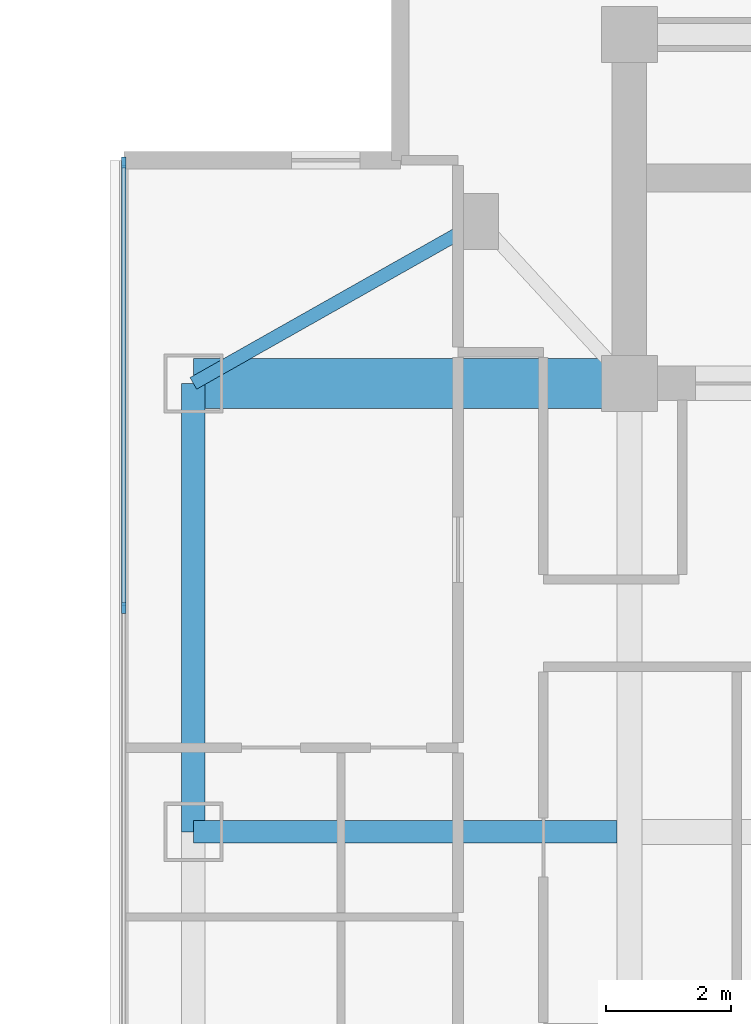
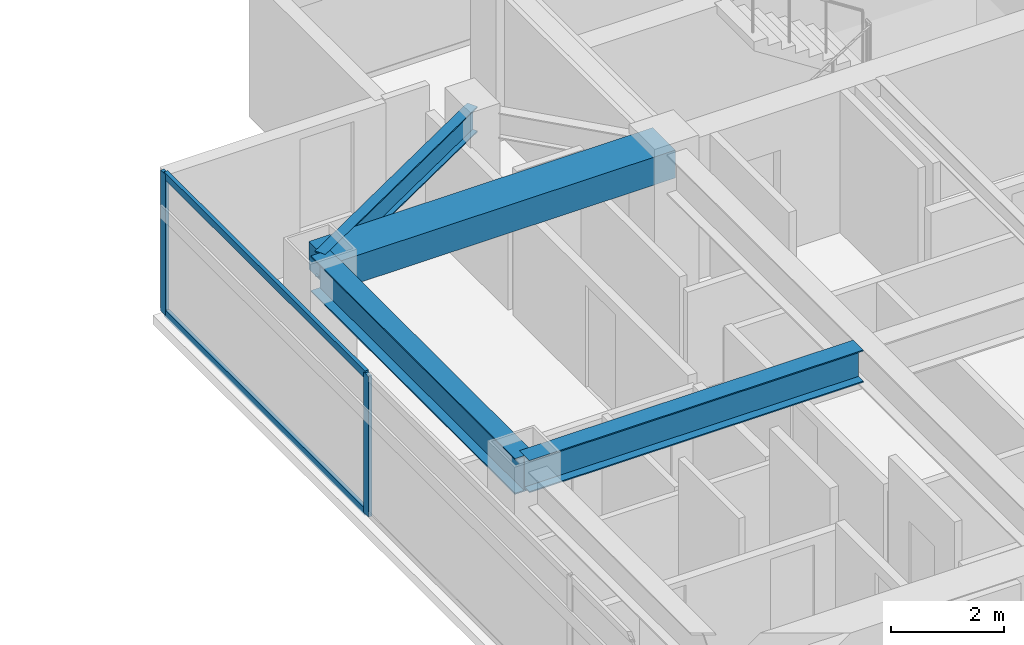
# One storey, part 7 of 24: 4 beams, 4 members, 1 element without a shape of its own.
"""IFC4 building model written with IfcOpenShell, lengths in metres."""

from ifc_helpers import new_model, si_unit, direction, frame, origin, origin_2d, place, context, subcontext, project, spatial, rectangle, i_section, extrude, material, material_profile, profile_set, type_object, element, aggregate, save


model = new_model("IFC4")

# Units and contexts
model_context = context("Model", 3, precision=1e-05, world=origin(), true_north=direction((0.0, 1.0)))
body_context = subcontext(model_context, "Body", "Model", "MODEL_VIEW")
ifc_project = project(units=[si_unit("LENGTHUNIT", "METRE"), si_unit("AREAUNIT", "SQUARE_METRE"), si_unit("VOLUMEUNIT", "CUBIC_METRE"), si_unit("PLANEANGLEUNIT", "RADIAN"), si_unit("MASSUNIT", "GRAM", prefix="KILO")], contexts=[model_context])

# Site, building, storey
site_placement = place(None, origin())
site = spatial("IfcSite", under=ifc_project, at=site_placement, CompositionType="ELEMENT")
building_placement = place(site_placement, origin())
building = spatial("IfcBuilding", under=site, at=building_placement, Name="Mirazonda Arch Towers", CompositionType="ELEMENT")
storey_placement = place(building_placement, frame((0.0, 0.0, 186.89990234375)))
storey = spatial("IfcBuildingStorey", under=building, at=storey_placement, Name="L53", CompositionType="ELEMENT", Elevation=186.89990234375)

# Beams
ifc_material_1 = material(Name="Steel ASTM A992 Grade 50", Category="steel")
ifc_material_profile_1 = material_profile(ifc_material_1, i_section(OverallWidth=0.381103515625, OverallDepth=0.77294921875, WebThickness=0.0166015625, FlangeThickness=0.027099609375, at=origin_2d()), Name="W30X173")
ifc_profile_set_1 = profile_set([ifc_material_profile_1], Name="Steel ASTM A992 Grade 50")
beam_type_1 = type_object("IfcBeamType", Name="BM-EXT-W30X173", PredefinedType="USERDEFINED", material=ifc_profile_set_1)
beam_1_placement = place(storey_placement, frame((61.0, 28.0, 2.66357421875), z_axis=(0.0, 1.0, 0.0), x_axis=(-1.0, 0.0, 0.0)))
element("IfcBeam", 1, at=beam_1_placement, inside=storey, type_object=beam_type_1, Name="L53 Floor Beam BM-T2-L53-NS-W-28", ObjectType="GIRDER", PredefinedType="USERDEFINED", context=body_context, shape_type="SweptSolid", body=[
    extrude(i_section(OverallWidth=0.381103515625, OverallDepth=0.77294921875, WebThickness=0.0166015625, FlangeThickness=0.027099609375, at=origin_2d()), origin(), (0.0, 0.0, 1.0), 7.199951171875),
])
ifc_material_profile_2 = material_profile(ifc_material_1, i_section(OverallWidth=0.214111328125, OverallDepth=0.549072265625, WebThickness=0.0146484375, FlangeThickness=0.023681640625, at=origin_2d()), Name="W21X93")
ifc_profile_set_2 = profile_set([ifc_material_profile_2], Name="Steel ASTM A992 Grade 50")
beam_type_2 = type_object("IfcBeamType", Name="BM-INT-W21X93", PredefinedType="BEAM", material=ifc_profile_set_2)
beam_2_placement = place(storey_placement, frame((65.60009765625, 37.800048828125, 2.775634765625), z_axis=(-0.870559396632, -0.492063346467, 0.0), x_axis=(0.492063346467, -0.870559396632, 0.0)))
element("IfcBeam", 2, at=beam_2_placement, inside=storey, type_object=beam_type_2, Name="L53 Floor Beam BM-T2-L53-PL-NW2", PredefinedType="BEAM", context=body_context, shape_type="SweptSolid", body=[
    extrude(i_section(OverallWidth=0.214111328125, OverallDepth=0.549072265625, WebThickness=0.0146484375, FlangeThickness=0.023681640625, at=origin_2d()), origin(), (0.0, 0.0, 1.0), 5.2841796875),
])
ifc_material_profile_3 = material_profile(ifc_material_1, i_section(OverallWidth=0.35498046875, OverallDepth=0.696044921875, WebThickness=0.015380859375, FlangeThickness=0.02490234375, at=origin_2d()), Name="W27X146")
ifc_profile_set_3 = profile_set([ifc_material_profile_3], Name="Steel ASTM A992 Grade 50")
beam_type_3 = type_object("IfcBeamType", Name="BM-INT-W27X146", PredefinedType="BEAM", material=ifc_profile_set_3)
beam_3_placement = place(storey_placement, frame((61.0, 28.0, 2.7021484375), z_axis=(1.0, 0.0, 0.0), x_axis=(0.0, 1.0, 0.0)))
element("IfcBeam", 3, at=beam_3_placement, inside=storey, type_object=beam_type_3, Name="L53 Floor Beam BM-T2-L53-GW2", PredefinedType="BEAM", context=body_context, shape_type="SweptSolid", body=[
    extrude(i_section(OverallWidth=0.35498046875, OverallDepth=0.696044921875, WebThickness=0.015380859375, FlangeThickness=0.02490234375, at=origin_2d()), origin(), (0.0, 0.0, 1.0), 6.800048828125),
])
ifc_material_2 = material(Name="Concrete C60/75", Category="concrete")
ifc_material_profile_4 = material_profile(ifc_material_2, rectangle(XDim=0.800048828125, YDim=0.60009765625, at=origin_2d()), Name="RCCB800x600")
ifc_profile_set_4 = profile_set([ifc_material_profile_4], Name="Concrete C60/75")
beam_type_4 = type_object("IfcBeamType", Name="CB-INT-RCCB800x600", PredefinedType="SPANDREL", material=ifc_profile_set_4)
beam_4_placement = place(storey_placement, frame((61.0, 35.199951171875, 2.75), z_axis=(1.0, 0.0, 0.0), x_axis=(0.0, 1.0, 0.0)))
element("IfcBeam", 4, at=beam_4_placement, inside=storey, type_object=beam_type_4, Name="L53 Floor Beam CBC-T2-L53-NW", PredefinedType="SPANDREL", context=body_context, shape_type="SweptSolid", body=[
    extrude(rectangle(XDim=0.800048828125, YDim=0.60009765625, at=origin_2d()), origin(), (0.0, 0.0, 1.0), 7.0),
])

# Curtain wall, members
ifc_material_3 = material(Name="Anodised Aluminium and Low-E Glass", Category="aluminium")
curtain_wall_type = type_object("IfcCurtainWallType", Name="CW-RES-UNIT", PredefinedType="NOTDEFINED", material=ifc_material_3)
curtain_wall_placement = place(storey_placement, origin())
curtain_wall = element("IfcCurtainWall", 5, at=curtain_wall_placement, inside=storey, type_object=curtain_wall_type, Name="L53 T2 W Facade CW-L53-T2-W", PredefinedType="NOTDEFINED")
ifc_material_4 = material(Name="Anodised Aluminium Alloy", Category="aluminium")
ifc_material_profile_5 = material_profile(ifc_material_4, rectangle(XDim=0.074951171875, YDim=0.175048828125, at=origin_2d()), Name="ALU-MULL-75x175")
ifc_profile_set_5 = profile_set([ifc_material_profile_5], Name="Anodised Aluminium Alloy")
member_type_1 = type_object("IfcMemberType", Name="MULL-CW-RES-UNIT", PredefinedType="MULLION", material=ifc_profile_set_5)
member_1_placement = place(storey_placement, frame((59.884521484375, 38.74462890625, 0.0), z_axis=(0.0, 0.0, 1.0), x_axis=(1.0, 0.0, 0.0)))
member_1 = element("IfcMember", 6, at=member_1_placement, type_object=member_type_1, Name="CW-104 mullion 1", PredefinedType="MULLION", context=body_context, shape_type="SweptSolid", body=[
    extrude(rectangle(XDim=0.074951171875, YDim=0.175048828125, at=origin_2d()), origin(), (0.0, 0.0, 1.0), 3.030029296875),
])
member_2_placement = place(storey_placement, frame((59.884521484375, 31.593994140625, 0.0), z_axis=(0.0, 0.0, 1.0), x_axis=(1.0, 0.0, 0.0)))
member_2 = element("IfcMember", 7, at=member_2_placement, type_object=member_type_1, Name="CW-104 mullion 2", PredefinedType="MULLION", context=body_context, shape_type="SweptSolid", body=[
    extrude(rectangle(XDim=0.074951171875, YDim=0.175048828125, at=origin_2d()), origin(), (0.0, 0.0, 1.0), 3.030029296875),
])
ifc_material_profile_6 = material_profile(ifc_material_4, rectangle(XDim=0.074951171875, YDim=0.155029296875, at=origin_2d()), Name="ALU-TRAN-75x155")
ifc_profile_set_6 = profile_set([ifc_material_profile_6], Name="Anodised Aluminium Alloy")
member_type_2 = type_object("IfcMemberType", Name="TRAN-CW-RES-UNIT", PredefinedType="USERDEFINED", material=ifc_profile_set_6)
member_3_placement = place(storey_placement, frame((59.884521484375, 38.70703125, 0.03759765625), z_axis=(0.0, -1.0, 0.0), x_axis=(1.0, 0.0, 0.0)))
member_3 = element("IfcMember", 8, at=member_3_placement, type_object=member_type_2, Name="CW-104 transom 1.1", ObjectType="TRANSOM", PredefinedType="USERDEFINED", context=body_context, shape_type="SweptSolid", body=[
    extrude(rectangle(XDim=0.074951171875, YDim=0.155029296875, at=origin_2d()), origin(), (0.0, 0.0, 1.0), 7.075439453125),
])
member_4_placement = place(storey_placement, frame((59.884521484375, 38.70703125, 2.99267578125), z_axis=(0.0, -1.0, 0.0), x_axis=(1.0, 0.0, 0.0)))
member_4 = element("IfcMember", 9, at=member_4_placement, type_object=member_type_2, Name="CW-104 transom 1.2", ObjectType="TRANSOM", PredefinedType="USERDEFINED", context=body_context, shape_type="SweptSolid", body=[
    extrude(rectangle(XDim=0.074951171875, YDim=0.155029296875, at=origin_2d()), origin(), (0.0, 0.0, 1.0), 7.075439453125),
])
aggregate(curtain_wall, [member_1, member_2, member_3, member_4])

save(model, "model.ifc")
